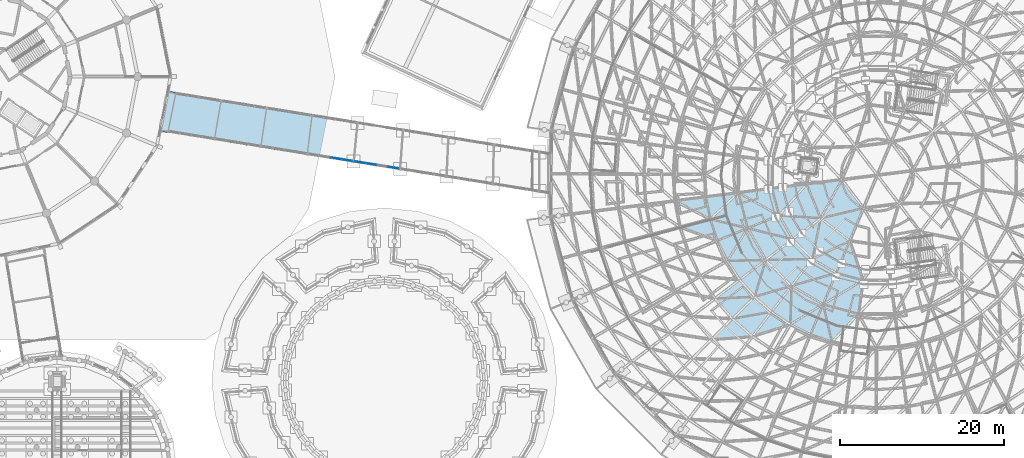
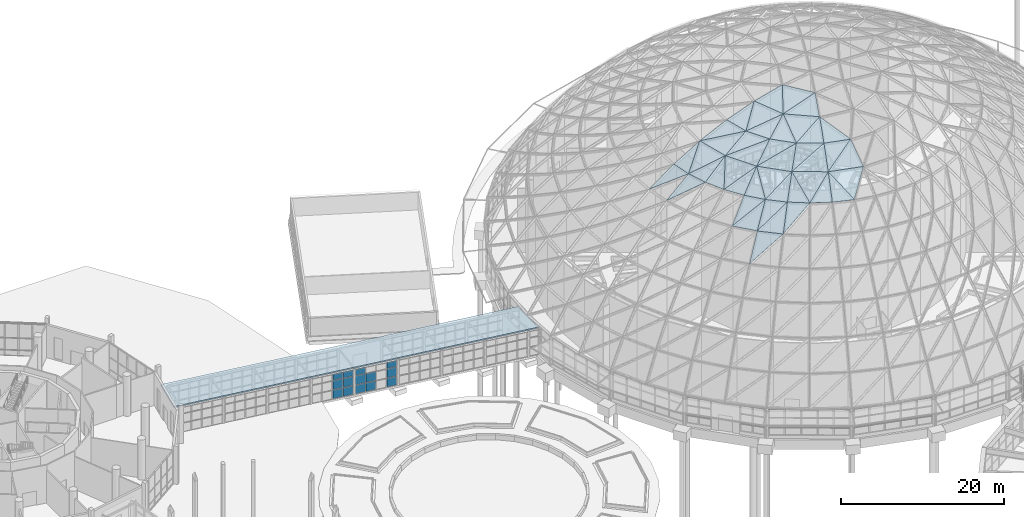
# One storey, part 136 of 226: 56 plates, 1 slab, 2 elements without a shape of their own.
"""IFC4 building model written with IfcOpenShell, lengths in metres."""

import ifcopenshell
import ifcopenshell.guid

model = None  # the IFC model being written
_history = None  # IfcOwnerHistory: only IFC2X3 demands one
_inside = {}  # id of a spatial element -> (the spatial element, [elements in it])
_under = {}  # id of a project, library or spatial element -> (it, [spatial elements below it])
_declared = {}  # id of a project -> (the project, [libraries it declares])
_typed = {}  # id of a type object -> (the type object, [elements of that type])
_made_of = {}  # id of a material, layer set ... -> (it, [elements and type objects made of it])


def new_model(schema):
    """Start an empty IFC model of exactly this schema.

    Asked for "IFC4X3", IfcOpenShell would pick the latest addendum, in which some entities
    have other attributes; the version numbers below select the first issue.
    IFC2X3 requires an IfcOwnerHistory on every rooted entity: one is made here for all.
    """
    global model, _history
    if schema == "IFC4X3":
        model = ifcopenshell.file(schema_version=(4, 3, 0, 0))
    else:
        model = ifcopenshell.file(schema=schema)
    _inside.clear()
    _under.clear()
    _declared.clear()
    _typed.clear()
    _made_of.clear()
    _history = None
    if model.schema == "IFC2X3":
        org = make("IfcOrganization", Name="unknown")
        user = make(
            "IfcPersonAndOrganization",
            ThePerson=make("IfcPerson", FamilyName="unknown"),
            TheOrganization=org,
        )
        app = make(
            "IfcApplication",
            ApplicationDeveloper=org,
            Version="unknown",
            ApplicationFullName="unknown",
            ApplicationIdentifier="unknown",
        )
        _history = make(
            "IfcOwnerHistory",
            OwningUser=user,
            OwningApplication=app,
            ChangeAction="ADDED",
            CreationDate=0,
        )
    return model


def make(cls, **values):
    """One entity of the class cls with the attributes given. An attribute that is None is left unset."""
    return model.create_entity(
        cls, **{name: value for name, value in values.items() if value is not None}
    )


def rooted(cls, **values):
    """An entity with a GlobalId (a new one), such as an element, a storey or a relation."""
    return make(cls, GlobalId=ifcopenshell.guid.new(), OwnerHistory=_history, **values)


def si_unit(unit_type, name, prefix=None):
    """IfcSIUnit, for example si_unit("LENGTHUNIT", "METRE", prefix="MILLI")."""
    return make("IfcSIUnit", UnitType=unit_type, Prefix=prefix, Name=name)


def assignment(units):
    """IfcUnitAssignment: the units of a project."""
    return None if units is None else make("IfcUnitAssignment", Units=units)


def point(xyz):
    """IfcCartesianPoint."""
    return None if xyz is None else make("IfcCartesianPoint", Coordinates=xyz)


def direction(xyz):
    """IfcDirection."""
    return None if xyz is None else make("IfcDirection", DirectionRatios=xyz)


def frame(location, z_axis=None, x_axis=None):
    """IfcAxis2Placement3D, a coordinate frame: its origin and axes. An axis left out is left unset."""
    return make(
        "IfcAxis2Placement3D",
        Location=point(location),
        Axis=direction(z_axis),
        RefDirection=direction(x_axis),
    )


def frame_2d(location, x_axis=None):
    """IfcAxis2Placement2D, a coordinate frame in the plane: its origin and x axis."""
    return make(
        "IfcAxis2Placement2D", Location=point(location), RefDirection=direction(x_axis)
    )


def origin():
    """The frame at (0, 0, 0) with its axes left unset."""
    return frame((0.0, 0.0, 0.0))


def origin_2d():
    """The frame at (0, 0) in the plane with its x axis left unset."""
    return frame_2d((0.0, 0.0))


def place(relative_to, where):
    """IfcLocalPlacement: puts the frame where relative to a parent placement (None: the world)."""
    return make(
        "IfcLocalPlacement", PlacementRelTo=relative_to, RelativePlacement=where
    )


def context(
    kind, dimensions, precision=None, world=None, true_north=None, identifier=None
):
    """IfcGeometricRepresentationContext, for example the 3D "Model" context."""
    return make(
        "IfcGeometricRepresentationContext",
        ContextIdentifier=identifier,
        ContextType=kind,
        CoordinateSpaceDimension=dimensions,
        Precision=precision,
        WorldCoordinateSystem=world,
        TrueNorth=true_north,
    )


def subcontext(parent, identifier, kind, view, scale=None):
    """IfcGeometricRepresentationSubContext, for example "Body" below "Model"."""
    return make(
        "IfcGeometricRepresentationSubContext",
        ContextIdentifier=identifier,
        ContextType=kind,
        ParentContext=parent,
        TargetScale=scale,
        TargetView=view,
    )


def project(units=None, contexts=None):
    """IfcProject with its units and contexts."""
    return rooted(
        "IfcProject",
        Name="project",
        RepresentationContexts=contexts,
        UnitsInContext=assignment(units),
    )


def spatial(cls, under=None, at=None, **own):
    """A site, building, storey or space (cls), placed at a placement, below another one or the project."""
    s = rooted(cls, ObjectPlacement=at, **own)
    if under is not None:
        _under.setdefault(under.id(), (under, []))[1].append(s)
    return s


def polyline(points):
    """IfcPolyline through the points."""
    return make("IfcPolyline", Points=[point(p) for p in points])


def profile(cls, at=None, kind="AREA", **sizes):
    """A parametric profile (cls). Its sizes go by their IFC names, for example OverallWidth=200.0."""
    return make(cls, ProfileType=kind, Position=at, **sizes)


def rectangle(**sizes):
    """IfcRectangleProfileDef."""
    return profile("IfcRectangleProfileDef", **sizes)


def outline(outer, holes=None, kind="AREA"):
    """IfcArbitraryClosedProfileDef: a profile drawn as a closed curve; with holes, ...WithVoids."""
    if holes is None:
        return make("IfcArbitraryClosedProfileDef", ProfileType=kind, OuterCurve=outer)
    return make(
        "IfcArbitraryProfileDefWithVoids",
        ProfileType=kind,
        OuterCurve=outer,
        InnerCurves=holes,
    )


def extrude(swept, where, along, depth):
    """IfcExtrudedAreaSolid: the profile swept, set in the frame where, extruded along a direction by depth."""
    return make(
        "IfcExtrudedAreaSolid",
        SweptArea=swept,
        Position=where,
        ExtrudedDirection=direction(along),
        Depth=depth,
    )


def shape(context_of_items, identifier, shape_type, items):
    """IfcShapeRepresentation: the items that make up one representation, for example the "Body"."""
    return make(
        "IfcShapeRepresentation",
        ContextOfItems=context_of_items,
        RepresentationIdentifier=identifier,
        RepresentationType=shape_type,
        Items=items,
    )


def material(Name=None, Category=None):
    """IfcMaterial."""
    return make("IfcMaterial", Name=Name, Category=Category)


def layer(
    of_material, thickness, ventilated=None, Name=None, Category=None, Priority=None
):
    """IfcMaterialLayer: one layer of a wall or slab, of a material (None: an air gap)."""
    return make(
        "IfcMaterialLayer",
        Material=of_material,
        LayerThickness=thickness,
        IsVentilated=ventilated,
        Name=Name,
        Category=Category,
        Priority=Priority,
    )


def layer_set(layers, Name=None):
    """IfcMaterialLayerSet."""
    return make("IfcMaterialLayerSet", MaterialLayers=layers, LayerSetName=Name)


def made_of(thing, what):
    """Note that an element or type object is made of a material, layer set ...; save() writes the relation."""
    if what is not None:
        _made_of.setdefault(what.id(), (what, []))[1].append(thing)
    return thing


def type_object(cls, material=None, **own):
    """A type object (cls), such as IfcWallType, which elements share."""
    return made_of(rooted(cls, **own), material)


def element(
    cls,
    number,
    at=None,
    inside=None,
    cuts=None,
    type_object=None,
    material=None,
    context=None,
    identifier="Body",
    shape_type=None,
    held_by="IfcProductDefinitionShape",
    body=None,
    shapes=None,
    **own,
):
    """One element of the class cls, such as IfcWall. Its Tag is "e" and its number.

    at: its placement. inside: the storey or other place that contains it. cuts: it is an
    opening in that element (IfcRelVoidsElement). A single representation is given by context,
    identifier, shape_type and body (its items); several are given by shapes. held_by: the class
    of the entity that holds the representations. save() writes the other relations.
    """
    e = rooted(cls, Tag="e%d" % number, ObjectPlacement=at, **own)
    if body is not None:
        shapes = [shape(context, identifier, shape_type, body)]
    if shapes is not None:
        e.Representation = make(held_by, Representations=shapes)
    if inside is not None:
        _inside.setdefault(inside.id(), (inside, []))[1].append(e)
    if cuts is not None:
        rooted(
            "IfcRelVoidsElement", RelatingBuildingElement=cuts, RelatedOpeningElement=e
        )
    if type_object is not None:
        _typed.setdefault(type_object.id(), (type_object, []))[1].append(e)
    return made_of(e, material)


def aggregate(whole, parts):
    """IfcRelAggregates: a whole, such as a stair, and the parts it consists of."""
    return rooted("IfcRelAggregates", RelatingObject=whole, RelatedObjects=parts)


def save(model, path):
    """Write the relations noted so far, then the file.

    IfcRelAggregates (storeys below a building ...), IfcRelContainedInSpatialStructure (elements
    in a storey), IfcRelDefinesByType, IfcRelAssociatesMaterial and IfcRelDeclares: one each for
    every whole, place, type object, material and project.
    """
    for whole, parts in _under.values():
        aggregate(whole, parts)
    for where, things in _inside.values():
        rooted(
            "IfcRelContainedInSpatialStructure",
            RelatedElements=things,
            RelatingStructure=where,
        )
    for kind, things in _typed.values():
        rooted("IfcRelDefinesByType", RelatedObjects=things, RelatingType=kind)
    for what, things in _made_of.values():
        rooted("IfcRelAssociatesMaterial", RelatedObjects=things, RelatingMaterial=what)
    for by, libraries in _declared.values():
        rooted("IfcRelDeclares", RelatingContext=by, RelatedDefinitions=libraries)
    model.write(path)


model = new_model("IFC4")

# Units and contexts
model_context = context("Model", 3, precision=1e-05, world=origin(), true_north=direction((0.0, 1.0)))
body_context = subcontext(model_context, "Body", "Model", "MODEL_VIEW")
ifc_project = project(units=[si_unit("LENGTHUNIT", "METRE"), si_unit("AREAUNIT", "SQUARE_METRE"), si_unit("VOLUMEUNIT", "CUBIC_METRE"), si_unit("PLANEANGLEUNIT", "RADIAN"), si_unit("MASSUNIT", "GRAM", prefix="KILO")], contexts=[model_context])

# Site, building, storey
site_placement = place(None, origin())
site = spatial("IfcSite", under=ifc_project, at=site_placement, CompositionType="ELEMENT")
building_placement = place(site_placement, origin())
building = spatial("IfcBuilding", under=site, at=building_placement, Name="Ceibo Conservatory and Research Tower", CompositionType="ELEMENT")
storey_placement = place(building_placement, origin())
storey = spatial("IfcBuildingStorey", under=building, at=storey_placement, Name="L00", CompositionType="ELEMENT", Elevation=0.0)

# Curtain wall, plates
ifc_material_1 = material(Name="Aluminium and glass", Category="aluminium")
curtain_wall_type = type_object("IfcCurtainWallType", Name="Gallery curtain wall", PredefinedType="NOTDEFINED", material=ifc_material_1)
curtain_wall_1_placement = place(storey_placement, origin())
curtain_wall_1 = element("IfcCurtainWall", 1, at=curtain_wall_1_placement, inside=storey, type_object=curtain_wall_type, Name="Gallery curtain wall A-RT-CWN05", PredefinedType="NOTDEFINED")
ifc_material_2 = material(Name="Laminated glass", Category="glass")
ifc_layer_1 = layer(ifc_material_2, 0.028076171875)
ifc_layer_set_1 = layer_set([ifc_layer_1], Name="Laminated glass")
plate_type_1 = type_object("IfcPlateType", Name="Gallery glass 28", PredefinedType="CURTAIN_PANEL", material=ifc_layer_set_1)
plate_1_placement = place(storey_placement, frame((97.121826171875, 108.89599609375, 0.06005859375), z_axis=(0.0, 0.0, 1.0), x_axis=(-0.987215515464, 0.159391110254, 0.0)))
plate_1 = element("IfcPlate", 2, at=plate_1_placement, type_object=plate_type_1, Name="A-RT-CWN05 panel 1.1", PredefinedType="CURTAIN_PANEL", context=body_context, shape_type="SweptSolid", body=[
    extrude(rectangle(XDim=1.28955078125, YDim=0.028076171875, at=origin_2d()), origin(), (0.0, 0.0, 1.0), 1.31005859375),
])
plate_2_placement = place(storey_placement, frame((97.121826171875, 108.89599609375, 1.43017578125), z_axis=(0.0, 0.0, 1.0), x_axis=(-0.987215515464, 0.159391110254, 0.0)))
plate_2 = element("IfcPlate", 3, at=plate_2_placement, type_object=plate_type_1, Name="A-RT-CWN05 panel 1.2", PredefinedType="CURTAIN_PANEL", context=body_context, shape_type="SweptSolid", body=[
    extrude(rectangle(XDim=1.28955078125, YDim=0.028076171875, at=origin_2d()), origin(), (0.0, 0.0, 1.0), 1.340087890625),
])
plate_3_placement = place(storey_placement, frame((97.121826171875, 108.89599609375, 2.830078125), z_axis=(0.0, 0.0, 1.0), x_axis=(-0.987215515464, 0.159391110254, 0.0)))
plate_3 = element("IfcPlate", 4, at=plate_3_placement, type_object=plate_type_1, Name="A-RT-CWN05 panel 1.3", PredefinedType="CURTAIN_PANEL", context=body_context, shape_type="SweptSolid", body=[
    extrude(rectangle(XDim=1.28955078125, YDim=0.028076171875, at=origin_2d()), origin(), (0.0, 0.0, 1.0), 0.909912109375),
])
plate_4_placement = place(storey_placement, frame((94.412841796875, 109.333251953125, 0.06005859375), z_axis=(0.0, 0.0, 1.0), x_axis=(-0.987215515464, 0.159391110254, 0.0)))
plate_4 = element("IfcPlate", 5, at=plate_4_placement, type_object=plate_type_1, Name="A-RT-CWN05 panel 3.1", PredefinedType="CURTAIN_PANEL", context=body_context, shape_type="SweptSolid", body=[
    extrude(rectangle(XDim=1.319580078125, YDim=0.028076171875, at=origin_2d()), origin(), (0.0, 0.0, 1.0), 1.31005859375),
])
plate_5_placement = place(storey_placement, frame((94.412841796875, 109.333251953125, 1.43017578125), z_axis=(0.0, 0.0, 1.0), x_axis=(-0.987215515464, 0.159391110254, 0.0)))
plate_5 = element("IfcPlate", 6, at=plate_5_placement, type_object=plate_type_1, Name="A-RT-CWN05 panel 3.2", PredefinedType="CURTAIN_PANEL", context=body_context, shape_type="SweptSolid", body=[
    extrude(rectangle(XDim=1.319580078125, YDim=0.028076171875, at=origin_2d()), origin(), (0.0, 0.0, 1.0), 1.340087890625),
])
plate_6_placement = place(storey_placement, frame((93.065673828125, 109.55078125, 0.06005859375), z_axis=(0.0, 0.0, 1.0), x_axis=(-0.987215515464, 0.159391110254, 0.0)))
plate_6 = element("IfcPlate", 7, at=plate_6_placement, type_object=plate_type_1, Name="A-RT-CWN05 panel 4.1", PredefinedType="CURTAIN_PANEL", context=body_context, shape_type="SweptSolid", body=[
    extrude(rectangle(XDim=1.28955078125, YDim=0.028076171875, at=origin_2d()), origin(), (0.0, 0.0, 1.0), 1.31005859375),
])
plate_7_placement = place(storey_placement, frame((93.065673828125, 109.55078125, 1.43017578125), z_axis=(0.0, 0.0, 1.0), x_axis=(-0.987215515464, 0.159391110254, 0.0)))
plate_7 = element("IfcPlate", 8, at=plate_7_placement, type_object=plate_type_1, Name="A-RT-CWN05 panel 4.2", PredefinedType="CURTAIN_PANEL", context=body_context, shape_type="SweptSolid", body=[
    extrude(rectangle(XDim=1.28955078125, YDim=0.028076171875, at=origin_2d()), origin(), (0.0, 0.0, 1.0), 1.340087890625),
])
plate_8_placement = place(storey_placement, frame((93.065673828125, 109.55078125, 2.830078125), z_axis=(0.0, 0.0, 1.0), x_axis=(-0.987215515464, 0.159391110254, 0.0)))
plate_8 = element("IfcPlate", 9, at=plate_8_placement, type_object=plate_type_1, Name="A-RT-CWN05 panel 4.3", PredefinedType="CURTAIN_PANEL", context=body_context, shape_type="SweptSolid", body=[
    extrude(rectangle(XDim=1.28955078125, YDim=0.028076171875, at=origin_2d()), origin(), (0.0, 0.0, 1.0), 0.909912109375),
])
aggregate(curtain_wall_1, [plate_1, plate_2, plate_3, plate_4, plate_5, plate_6, plate_7, plate_8])

curtain_wall_2_placement = place(storey_placement, origin())
curtain_wall_2 = element("IfcCurtainWall", 10, at=curtain_wall_2_placement, inside=storey, type_object=curtain_wall_type, Name="Gallery curtain wall A-RT-CWN06", PredefinedType="NOTDEFINED")
plate_9_placement = place(storey_placement, frame((91.476806640625, 109.807373046875, 0.06005859375), z_axis=(0.0, 0.0, 1.0), x_axis=(-0.987215515464, 0.159391110254, 0.0)))
plate_9 = element("IfcPlate", 11, at=plate_9_placement, type_object=plate_type_1, Name="A-RT-CWN06 panel 1.1", PredefinedType="CURTAIN_PANEL", context=body_context, shape_type="SweptSolid", body=[
    extrude(rectangle(XDim=1.28955078125, YDim=0.028076171875, at=origin_2d()), origin(), (0.0, 0.0, 1.0), 1.31005859375),
])
plate_10_placement = place(storey_placement, frame((91.476806640625, 109.807373046875, 1.43017578125), z_axis=(0.0, 0.0, 1.0), x_axis=(-0.987215515464, 0.159391110254, 0.0)))
plate_10 = element("IfcPlate", 12, at=plate_10_placement, type_object=plate_type_1, Name="A-RT-CWN06 panel 1.2", PredefinedType="CURTAIN_PANEL", context=body_context, shape_type="SweptSolid", body=[
    extrude(rectangle(XDim=1.28955078125, YDim=0.028076171875, at=origin_2d()), origin(), (0.0, 0.0, 1.0), 1.340087890625),
])
plate_11_placement = place(storey_placement, frame((91.476806640625, 109.807373046875, 2.830078125), z_axis=(0.0, 0.0, 1.0), x_axis=(-0.987215515464, 0.159391110254, 0.0)))
plate_11 = element("IfcPlate", 13, at=plate_11_placement, type_object=plate_type_1, Name="A-RT-CWN06 panel 1.3", PredefinedType="CURTAIN_PANEL", context=body_context, shape_type="SweptSolid", body=[
    extrude(rectangle(XDim=1.28955078125, YDim=0.028076171875, at=origin_2d()), origin(), (0.0, 0.0, 1.0), 0.909912109375),
])
plate_12_placement = place(storey_placement, frame((90.129638671875, 110.02490234375, 0.06005859375), z_axis=(0.0, 0.0, 1.0), x_axis=(-0.987215515464, 0.159391110254, 0.0)))
plate_12 = element("IfcPlate", 14, at=plate_12_placement, type_object=plate_type_1, Name="A-RT-CWN06 panel 2.1", PredefinedType="CURTAIN_PANEL", context=body_context, shape_type="SweptSolid", body=[
    extrude(rectangle(XDim=1.319580078125, YDim=0.028076171875, at=origin_2d()), origin(), (0.0, 0.0, 1.0), 1.31005859375),
])
plate_13_placement = place(storey_placement, frame((90.129638671875, 110.02490234375, 1.43017578125), z_axis=(0.0, 0.0, 1.0), x_axis=(-0.987215515464, 0.159391110254, 0.0)))
plate_13 = element("IfcPlate", 15, at=plate_13_placement, type_object=plate_type_1, Name="A-RT-CWN06 panel 2.2", PredefinedType="CURTAIN_PANEL", context=body_context, shape_type="SweptSolid", body=[
    extrude(rectangle(XDim=1.319580078125, YDim=0.028076171875, at=origin_2d()), origin(), (0.0, 0.0, 1.0), 1.340087890625),
])
plate_14_placement = place(storey_placement, frame((90.129638671875, 110.02490234375, 2.830078125), z_axis=(0.0, 0.0, 1.0), x_axis=(-0.987215515464, 0.159391110254, 0.0)))
plate_14 = element("IfcPlate", 16, at=plate_14_placement, type_object=plate_type_1, Name="A-RT-CWN06 panel 2.3", PredefinedType="CURTAIN_PANEL", context=body_context, shape_type="SweptSolid", body=[
    extrude(rectangle(XDim=1.319580078125, YDim=0.028076171875, at=origin_2d()), origin(), (0.0, 0.0, 1.0), 0.909912109375),
])
aggregate(curtain_wall_2, [plate_9, plate_10, plate_11, plate_12, plate_13, plate_14])

# Plates
ifc_layer_2 = layer(ifc_material_2, 0.035888671875)
ifc_layer_set_2 = layer_set([ifc_layer_2], Name="Laminated glass")
plate_type_2 = type_object("IfcPlateType", Name="Gridshell roof glass 36", PredefinedType="SHEET", material=ifc_layer_set_2)
plate_15_placement = place(storey_placement, frame((135.742431640625, 87.918212890625, 17.55078125), z_axis=(-0.37765267275, -0.426993370049, 0.821617380962), x_axis=(0.89297335194, 0.066737457428, 0.44513447912)))
element("IfcPlate", 17, at=plate_15_placement, inside=storey, type_object=plate_type_2, Name="Glass panel A-P05-060", PredefinedType="SHEET", context=body_context, shape_type="SweptSolid", body=[
    extrude(outline(polyline([(0.0, 0.0), (5.597084016161167, -2.220446049250313e-16), (3.5602645851353354, 2.5461491379345937), (0.0, 0.0)])), origin(), (0.0, 0.0, -1.0), 0.035888671875),
])
plate_16_placement = place(storey_placement, frame((131.27294921875, 104.85400390625, 20.042236328125), z_axis=(-0.481876977089, -0.093753762431, 0.871208821685), x_axis=(0.812580405363, -0.419859274321, 0.404266341149)))
element("IfcPlate", 18, at=plate_16_placement, inside=storey, type_object=plate_type_2, Name="Glass panel A-P06-050", PredefinedType="SHEET", context=body_context, shape_type="SweptSolid", body=[
    extrude(outline(polyline([(0.0, 0.0), (5.307768010134648, 2.220446049250313e-16), (3.741251569925175, 2.2739069111641284), (0.0, 0.0)])), origin(), (0.0, 0.0, -1.0), 0.035888671875),
])
plate_17_placement = place(storey_placement, frame((131.8955078125, 101.653564453125, 20.042236328125), z_axis=(-0.465569273811, -0.155638241436, 0.871218680405), x_axis=(0.86035567575, -0.310338968485, 0.404323924402)))
element("IfcPlate", 19, at=plate_17_placement, inside=storey, type_object=plate_type_2, Name="Glass panel A-P06-052", PredefinedType="SHEET", context=body_context, shape_type="SweptSolid", body=[
    extrude(outline(polyline([(0.0, 0.0), (5.307012085168929, -3.3306690738754696e-16), (3.7410351398121575, 2.2743822750559963), (0.0, 0.0)])), origin(), (0.0, 0.0, -1.0), 0.035888671875),
])
plate_18_placement = place(storey_placement, frame((136.1591796875, 92.912109375, 20.042236328125), z_axis=(-0.370543056866, -0.322152200179, 0.871157737111), x_axis=(0.656110110194, -0.754665172974, 0.0)))
element("IfcPlate", 20, at=plate_18_placement, inside=storey, type_object=plate_type_2, Name="Glass panel A-P06-057", PredefinedType="SHEET", context=body_context, shape_type="SweptSolid", body=[
    extrude(outline(polyline([(0.0, 0.0), (3.2599955135443306, 2.220446049250313e-16), (3.010650730798408, 4.370137933662338), (0.0, 0.0)])), origin(), (0.0, 0.0, -1.0), 0.035888671875),
])
plate_19_placement = place(storey_placement, frame((136.1591796875, 92.912109375, 20.042236328125), z_axis=(-0.370568701303, -0.322007233127, 0.871200424374), x_axis=(0.913618172511, 0.042554852187, 0.404340103641)))
element("IfcPlate", 21, at=plate_19_placement, inside=storey, type_object=plate_type_2, Name="Glass panel A-P06-058", PredefinedType="SHEET", context=body_context, shape_type="SweptSolid", body=[
    extrude(outline(polyline([(0.0, 0.0), (5.306799730731464, 0.0), (3.7404738134429705, 2.274705345449151), (0.0, 0.0)])), origin(), (0.0, 0.0, -1.0), 0.035888671875),
])
plate_20_placement = place(storey_placement, frame((138.298095703125, 90.451904296875, 20.042236328125), z_axis=(-0.325295062762, -0.367795186242, 0.871154305), x_axis=(0.749059442524, -0.662502793628, 0.0)))
element("IfcPlate", 22, at=plate_20_placement, inside=storey, type_object=plate_type_2, Name="Glass panel A-P06-059", PredefinedType="SHEET", context=body_context, shape_type="SweptSolid", body=[
    extrude(outline(polyline([(0.0, 0.0), (3.2605994582606237, 4.440892098500626e-16), (3.0116656615227546, 4.370083736621913), (0.0, 0.0)])), origin(), (0.0, 0.0, -1.0), 0.035888671875),
])
plate_21_placement = place(storey_placement, frame((138.298095703125, 90.451904296875, 20.042236328125), z_axis=(-0.325296058454, -0.367792034064, 0.871155264022), x_axis=(0.90027854069, 0.161370247854, 0.404299631809)))
element("IfcPlate", 23, at=plate_21_placement, inside=storey, type_object=plate_type_2, Name="Glass panel A-P06-060", PredefinedType="SHEET", context=body_context, shape_type="SweptSolid", body=[
    extrude(outline(polyline([(0.0, 0.0), (5.307330960273972, 2.220446049250313e-16), (3.740252972516818, 2.273936252733628), (0.0, 0.0)])), origin(), (0.0, 0.0, -1.0), 0.035888671875),
])
plate_22_placement = place(storey_placement, frame((140.740478515625, 88.291748046875, 20.042236328125), z_axis=(-0.274584262684, -0.407058364757, 0.871152667658), x_axis=(0.871533945163, 0.277400353092, 0.40432366556)))
element("IfcPlate", 24, at=plate_22_placement, inside=storey, type_object=plate_type_2, Name="Glass panel A-P06-062", PredefinedType="SHEET", context=body_context, shape_type="SweptSolid", body=[
    extrude(outline(polyline([(0.0, 0.0), (5.307015482636089, -3.3306690738754696e-16), (3.740020681835353, 2.274169122930282), (0.0, 0.0)])), origin(), (0.0, 0.0, -1.0), 0.035888671875),
])
plate_23_placement = place(storey_placement, frame((139.024169921875, 105.840087890625, 23.970458984375), z_axis=(-0.400470990238, -0.077915451172, 0.912990782235), x_axis=(-0.906026061236, -0.11518462208, -0.407245968915)))
element("IfcPlate", 25, at=plate_23_placement, inside=storey, type_object=plate_type_2, Name="Glass panel A-P07-038", PredefinedType="SHEET", context=body_context, shape_type="SweptSolid", body=[
    extrude(outline(polyline([(0.0, 0.0), (4.3768897403075, -2.0816681711721685e-17), (4.211304628507482, 2.7563033158266026), (0.0, 0.0)])), origin(), (0.0, 0.0, -1.0), 0.035888671875),
])
plate_24_placement = place(storey_placement, frame((139.024169921875, 105.840087890625, 23.970458984375), z_axis=(-0.382139696211, -0.100636958708, 0.918608434058), x_axis=(-0.683121518537, -0.638689273207, -0.354148278552)))
element("IfcPlate", 26, at=plate_24_placement, inside=storey, type_object=plate_type_2, Name="Glass panel A-P07-039", PredefinedType="SHEET", context=body_context, shape_type="SweptSolid", body=[
    extrude(outline(polyline([(0.0, 0.0), (5.033119772360406, -3.3306690738754696e-16), (1.9819971711480149, 4.003626914101606), (0.0, 0.0)])), origin(), (0.0, 0.0, -1.0), 0.035888671875),
])
plate_25_placement = place(storey_placement, frame((140.161865234375, 101.52001953125, 23.970458984375), z_axis=(-0.386892153049, -0.129336744741, 0.913009566417), x_axis=(-0.909054153243, 0.219612506316, -0.354105766037)))
element("IfcPlate", 27, at=plate_25_placement, inside=storey, type_object=plate_type_2, Name="Glass panel A-P07-040", PredefinedType="SHEET", context=body_context, shape_type="SweptSolid", body=[
    extrude(outline(polyline([(0.0, 0.0), (5.0337240284850555, 0.0), (3.6627153495824496, 2.396963439197925), (0.0, 0.0)])), origin(), (0.0, 0.0, -1.0), 0.035888671875),
])
plate_26_placement = place(storey_placement, frame((140.161865234375, 101.52001953125, 23.970458984375), z_axis=(-0.366598612819, -0.178952643727, 0.913006795365), x_axis=(-0.845366731436, -0.345743113292, -0.407206076811)))
element("IfcPlate", 28, at=plate_26_placement, inside=storey, type_object=plate_type_2, Name="Glass panel A-P07-041", PredefinedType="SHEET", context=body_context, shape_type="SweptSolid", body=[
    extrude(outline(polyline([(0.0, 0.0), (4.37731852404168, -4.163336342344337e-17), (4.211284077199785, 2.756039329248196), (0.0, 0.0)])), origin(), (0.0, 0.0, -1.0), 0.035888671875),
])
plate_27_placement = place(storey_placement, frame((140.161865234375, 101.52001953125, 23.970458984375), z_axis=(-0.34311311937, -0.19608315377, 0.918599359963), x_axis=(-0.494591412434, -0.793694065344, -0.354159660865)))
element("IfcPlate", 29, at=plate_27_placement, inside=storey, type_object=plate_type_2, Name="Glass panel A-P07-042", PredefinedType="SHEET", context=body_context, shape_type="SweptSolid", body=[
    extrude(outline(polyline([(0.0, 0.0), (5.032958013260124, -1.1102230246251565e-16), (1.9819163539824523, 4.003031799736386), (0.0, 0.0)])), origin(), (0.0, 0.0, -1.0), 0.035888671875),
])
plate_28_placement = place(storey_placement, frame((142.378173828125, 97.641845703125, 23.970458984375), z_axis=(-0.340267933711, -0.225113645712, 0.912984983339), x_axis=(-0.934905203171, -0.023137375839, -0.354142517814)))
element("IfcPlate", 30, at=plate_28_placement, inside=storey, type_object=plate_type_2, Name="Glass panel A-P07-043", PredefinedType="SHEET", context=body_context, shape_type="SweptSolid", body=[
    extrude(outline(polyline([(0.0, 0.0), (5.033201644713687, 0.0), (3.662211229949117, 2.396629445875303), (0.0, 0.0)])), origin(), (0.0, 0.0, -1.0), 0.035888671875),
])
plate_29_placement = place(storey_placement, frame((142.378173828125, 97.641845703125, 23.970458984375), z_axis=(-0.307963993064, -0.267606608331, 0.912986791884), x_axis=(-0.727058940296, -0.55274106486, -0.407262338737)))
element("IfcPlate", 31, at=plate_29_placement, inside=storey, type_object=plate_type_2, Name="Glass panel A-P07-044", PredefinedType="SHEET", context=body_context, shape_type="SweptSolid", body=[
    extrude(outline(polyline([(0.0, 0.0), (4.376713812165697, 2.42861286636753e-16), (4.211938083613154, 2.756902291896569), (0.0, 0.0)])), origin(), (0.0, 0.0, -1.0), 0.035888671875),
])
plate_30_placement = place(storey_placement, frame((142.378173828125, 97.641845703125, 23.970458984375), z_axis=(-0.280574696783, -0.278177914319, 0.918637516929), x_axis=(-0.272270859832, -0.894701250833, -0.354087913722)))
element("IfcPlate", 32, at=plate_30_placement, inside=storey, type_object=plate_type_2, Name="Glass panel A-P07-045", PredefinedType="SHEET", context=body_context, shape_type="SweptSolid", body=[
    extrude(outline(polyline([(0.0, 0.0), (5.033977817517217, 2.7755575615628914e-16), (1.9819537514928032, 4.0035523826701045), (0.0, 0.0)])), origin(), (0.0, 0.0, -1.0), 0.035888671875),
])
plate_31_placement = place(storey_placement, frame((145.5234375, 94.469482421875, 23.970458984375), z_axis=(-0.270271327109, -0.305578990472, 0.913003225802), x_axis=(-0.897036088813, -0.264498828371, -0.354071497239)))
element("IfcPlate", 33, at=plate_31_placement, inside=storey, type_object=plate_type_2, Name="Glass panel A-P07-046", PredefinedType="SHEET", context=body_context, shape_type="SweptSolid", body=[
    extrude(outline(polyline([(0.0, 0.0), (5.034211217298663, 5.551115123125783e-17), (3.662523580409443, 2.396871404146357), (0.0, 0.0)])), origin(), (0.0, 0.0, -1.0), 0.035888671875),
])
plate_32_placement = place(storey_placement, frame((145.5234375, 94.469482421875, 23.970458984375), z_axis=(-0.228135191726, -0.338199783118, 0.913003417844), x_axis=(-0.559105649822, -0.722196723253, -0.407225693271)))
element("IfcPlate", 34, at=plate_32_placement, inside=storey, type_object=plate_type_2, Name="Glass panel A-P07-047", PredefinedType="SHEET", context=body_context, shape_type="SweptSolid", body=[
    extrude(outline(polyline([(0.0, 0.0), (4.377107664322382, 1.6653345369377348e-16), (4.212391767660467, 2.7568435898347388), (0.0, 0.0)])), origin(), (0.0, 0.0, -1.0), 0.035888671875),
])
plate_33_placement = place(storey_placement, frame((145.5234375, 94.469482421875, 23.970458984375), z_axis=(-0.199028889129, -0.341309604163, 0.918637717165), x_axis=(-0.031327900981, -0.93469653795, -0.354063475333)))
element("IfcPlate", 35, at=plate_33_placement, inside=storey, type_object=plate_type_2, Name="Glass panel A-P07-048", PredefinedType="SHEET", context=body_context, shape_type="SweptSolid", body=[
    extrude(outline(polyline([(0.0, 0.0), (5.034325275850436, -1.1102230246251565e-16), (1.9824045867603157, 4.003083493377818), (0.0, 0.0)])), origin(), (0.0, 0.0, -1.0), 0.035888671875),
])
plate_34_placement = place(storey_placement, frame((149.38232421875, 92.21923828125, 23.970458984375), z_axis=(-0.182021530861, -0.365052889911, 0.913019468506), x_axis=(-0.7979301895, -0.487769506188, -0.354102134302)))
element("IfcPlate", 36, at=plate_34_placement, inside=storey, type_object=plate_type_2, Name="Glass panel A-P07-049", PredefinedType="SHEET", context=body_context, shape_type="SweptSolid", body=[
    extrude(outline(polyline([(0.0, 0.0), (5.033775655256227, -1.1102230246251565e-16), (3.662956153207764, 2.397061290041822), (0.0, 0.0)])), origin(), (0.0, 0.0, -1.0), 0.035888671875),
])
plate_35_placement = place(storey_placement, frame((149.38232421875, 92.21923828125, 23.970458984375), z_axis=(-0.132762062917, -0.385698859231, 0.913022795246), x_axis=(-0.353028937503, -0.842361622756, -0.407182349559)))
element("IfcPlate", 37, at=plate_35_placement, inside=storey, type_object=plate_type_2, Name="Glass panel A-P07-050", PredefinedType="SHEET", context=body_context, shape_type="SweptSolid", body=[
    extrude(outline(polyline([(0.0, 0.0), (4.377573598300728, 4.163336342344337e-17), (4.212886507408967, 2.756264055384131), (0.0, 0.0)])), origin(), (0.0, 0.0, -1.0), 0.035888671875),
])
plate_36_placement = place(storey_placement, frame((149.38232421875, 92.21923828125, 23.970458984375), z_axis=(-0.103921491762, -0.381182218069, 0.918640539155), x_axis=(0.211629001354, -0.910964892399, -0.354056677104)))
element("IfcPlate", 38, at=plate_36_placement, inside=storey, type_object=plate_type_2, Name="Glass panel A-P07-051", PredefinedType="SHEET", context=body_context, shape_type="SweptSolid", body=[
    extrude(outline(polyline([(0.0, 0.0), (5.03442193973758, 0.0), (1.9825616252480445, 4.003347877980378), (0.0, 0.0)])), origin(), (0.0, 0.0, -1.0), 0.035888671875),
])
plate_37_placement = place(storey_placement, frame((139.024169921875, 105.840087890625, 23.970458984375), z_axis=(-0.312136703471, -0.082201584525, 0.946474288001), x_axis=(0.254668146218, -0.967028508009, 0.0)))
element("IfcPlate", 39, at=plate_37_placement, inside=storey, type_object=plate_type_2, Name="Glass panel A-P08-025", PredefinedType="SHEET", context=body_context, shape_type="SweptSolid", body=[
    extrude(outline(polyline([(0.0, 0.0), (4.467364016258075, 0.0), (3.9257929376646996, 4.343078488735411), (0.0, 0.0)])), origin(), (0.0, 0.0, -1.0), 0.035888671875),
])
plate_38_placement = place(storey_placement, frame((139.024169921875, 105.840087890625, 23.970458984375), z_axis=(-0.312107357561, -0.082140865451, 0.946489236906), x_axis=(0.849760921174, -0.46964751898, 0.239452677498)))
element("IfcPlate", 40, at=plate_38_placement, inside=storey, type_object=plate_type_2, Name="Glass panel A-P08-026", PredefinedType="SHEET", context=body_context, shape_type="SweptSolid", body=[
    extrude(outline(polyline([(0.0, 0.0), (5.854415508719405, 5.551115123125783e-17), (3.58480860617293, 2.5116095956523146), (0.0, 0.0)])), origin(), (0.0, 0.0, -1.0), 0.035888671875),
])
plate_39_placement = place(storey_placement, frame((140.161865234375, 101.52001953125, 23.970458984375), z_axis=(-0.280222225681, -0.160142106688, 0.946482968626), x_axis=(0.496174254635, -0.868222960441, 0.0)))
element("IfcPlate", 41, at=plate_39_placement, inside=storey, type_object=plate_type_2, Name="Glass panel A-P08-027", PredefinedType="SHEET", context=body_context, shape_type="SweptSolid", body=[
    extrude(outline(polyline([(0.0, 0.0), (4.4667948267055895, 0.0), (3.9257333306844853, 4.343421019620243), (0.0, 0.0)])), origin(), (0.0, 0.0, -1.0), 0.035888671875),
])
plate_40_placement = place(storey_placement, frame((140.161865234375, 101.52001953125, 23.970458984375), z_axis=(-0.280226818783, -0.160166188226, 0.946477533903), x_axis=(0.942346514413, -0.233772659519, 0.239443919186)))
element("IfcPlate", 42, at=plate_40_placement, inside=storey, type_object=plate_type_2, Name="Glass panel A-P08-028", PredefinedType="SHEET", context=body_context, shape_type="SweptSolid", body=[
    extrude(outline(polyline([(0.0, 0.0), (5.854629649886153, 0.0), (3.5844452227327084, 2.511450265825249), (0.0, 0.0)])), origin(), (0.0, 0.0, -1.0), 0.035888671875),
])
plate_41_placement = place(storey_placement, frame((142.378173828125, 97.641845703125, 23.970458984375), z_axis=(-0.229185552401, -0.227227756778, 0.946489053883), x_axis=(0.704067152629, -0.710133399151, 0.0)))
element("IfcPlate", 43, at=plate_41_placement, inside=storey, type_object=plate_type_2, Name="Glass panel A-P08-029", PredefinedType="SHEET", context=body_context, shape_type="SweptSolid", body=[
    extrude(outline(polyline([(0.0, 0.0), (4.467277957978424, 0.0), (3.9262131880664084, 4.343661189431718), (0.0, 0.0)])), origin(), (0.0, 0.0, -1.0), 0.035888671875),
])
plate_42_placement = place(storey_placement, frame((142.378173828125, 97.641845703125, 23.970458984375), z_axis=(-0.229182227726, -0.227272957923, 0.946479006155), x_axis=(0.970745019789, 0.018179838866, 0.239423474233)))
element("IfcPlate", 44, at=plate_42_placement, inside=storey, type_object=plate_type_2, Name="Glass panel A-P08-030", PredefinedType="SHEET", context=body_context, shape_type="SweptSolid", body=[
    extrude(outline(polyline([(0.0, 0.0), (5.855129590941772, 0.0), (3.58547676276656, 2.5104601330864784), (0.0, 0.0)])), origin(), (0.0, 0.0, -1.0), 0.035888671875),
])
plate_43_placement = place(storey_placement, frame((145.5234375, 94.469482421875, 23.970458984375), z_axis=(-0.162575252815, -0.278796185961, 0.946489288828), x_axis=(0.863854216882, -0.503741890232, 0.0)))
element("IfcPlate", 45, at=plate_43_placement, inside=storey, type_object=plate_type_2, Name="Glass panel A-P08-031", PredefinedType="SHEET", context=body_context, shape_type="SweptSolid", body=[
    extrude(outline(polyline([(0.0, 0.0), (4.467057801345566, 2.220446049250313e-16), (3.9261762398217486, 4.343670462943763), (0.0, 0.0)])), origin(), (0.0, 0.0, -1.0), 0.035888671875),
])
plate_44_placement = place(storey_placement, frame((145.5234375, 94.469482421875, 23.970458984375), z_axis=(-0.162573652914, -0.27880077906, 0.946488210689), x_axis=(0.93297049984, 0.268778897965, 0.239424206037)))
element("IfcPlate", 46, at=plate_44_placement, inside=storey, type_object=plate_type_2, Name="Glass panel A-P08-032", PredefinedType="SHEET", context=body_context, shape_type="SweptSolid", body=[
    extrude(outline(polyline([(0.0, 0.0), (5.8551116946469035, -3.3306690738754696e-16), (3.5853275507998097, 2.511089398506384), (0.0, 0.0)])), origin(), (0.0, 0.0, -1.0), 0.035888671875),
])
plate_45_placement = place(storey_placement, frame((149.38232421875, 92.21923828125, 23.970458984375), z_axis=(-0.084900391545, -0.311413154444, 0.94647438991), x_axis=(0.964787779078, -0.263029544619, 0.0)))
element("IfcPlate", 47, at=plate_45_placement, inside=storey, type_object=plate_type_2, Name="Glass panel A-P08-033", PredefinedType="SHEET", context=body_context, shape_type="SweptSolid", body=[
    extrude(outline(polyline([(0.0, 0.0), (4.46736441652527, 0.0), (3.926429517737648, 4.343082509464306), (0.0, 0.0)])), origin(), (0.0, 0.0, -1.0), 0.035888671875),
])
plate_46_placement = place(storey_placement, frame((149.38232421875, 92.21923828125, 23.970458984375), z_axis=(-0.084938744478, -0.311356713111, 0.946489517579), x_axis=(0.831684604512, 0.500970611111, 0.239435096471)))
element("IfcPlate", 48, at=plate_46_placement, inside=storey, type_object=plate_type_2, Name="Glass panel A-P08-034", PredefinedType="SHEET", context=body_context, shape_type="SweptSolid", body=[
    extrude(outline(polyline([(0.0, 0.0), (5.854845381543075, -7.216449660063518e-16), (3.58517460273353, 2.5112843371790854), (0.0, 0.0)])), origin(), (0.0, 0.0, -1.0), 0.035888671875),
])
plate_47_placement = place(storey_placement, frame((147.362060546875, 106.9013671875, 26.382568359375), z_axis=(-0.225040671261, -0.059226529113, 0.972547641264), x_axis=(-0.965226729685, -0.122717221758, -0.230819938016)))
element("IfcPlate", 49, at=plate_47_placement, inside=storey, type_object=plate_type_2, Name="Glass panel A-P09-020", PredefinedType="SHEET", context=body_context, shape_type="SweptSolid", body=[
    extrude(outline(polyline([(0.0, 0.0), (4.376805205528819, -2.42861286636753e-17), (3.946929741051306, 3.3577530192227703), (0.0, 0.0)])), origin(), (0.0, 0.0, -1.0), 0.035888671875),
])
plate_48_placement = place(storey_placement, frame((147.362060546875, 106.9013671875, 26.382568359375), z_axis=(-0.200378975737, -0.081980678663, 0.976282456264), x_axis=(-0.648988792081, -0.735394994961, -0.194955762006)))
element("IfcPlate", 50, at=plate_48_placement, inside=storey, type_object=plate_type_2, Name="Glass panel A-P09-021", PredefinedType="SHEET", context=body_context, shape_type="SweptSolid", body=[
    extrude(outline(polyline([(0.0, 0.0), (5.1819648511828955, -5.551115123125783e-17), (1.9604909252094407, 4.059439169561636), (0.0, 0.0)])), origin(), (0.0, 0.0, -1.0), 0.035888671875),
])
plate_49_placement = place(storey_placement, frame((149.069091796875, 102.72900390625, 26.382568359375), z_axis=(-0.202023436168, -0.115468333273, 0.972550047684), x_axis=(-0.978330392526, 0.069769697661, -0.194940586713)))
element("IfcPlate", 51, at=plate_49_placement, inside=storey, type_object=plate_type_2, Name="Glass panel A-P09-022", PredefinedType="SHEET", context=body_context, shape_type="SweptSolid", body=[
    extrude(outline(polyline([(0.0, 0.0), (5.182368245030267, 8.326672684688674e-17), (3.333772341437619, 2.836161659042764), (0.0, 0.0)])), origin(), (0.0, 0.0, -1.0), 0.035888671875),
])
plate_50_placement = place(storey_placement, frame((149.069091796875, 102.72900390625, 26.382568359375), z_axis=(-0.165232239754, -0.163855724092, 0.97254799811), x_axis=(-0.774539940036, -0.588909166563, -0.230811340333)))
element("IfcPlate", 52, at=plate_50_placement, inside=storey, type_object=plate_type_2, Name="Glass panel A-P09-023", PredefinedType="SHEET", context=body_context, shape_type="SweptSolid", body=[
    extrude(outline(polyline([(0.0, 0.0), (4.376968240775648, 4.163336342344337e-16), (3.9463892788109454, 3.35683419277356), (0.0, 0.0)])), origin(), (0.0, 0.0, -1.0), 0.035888671875),
])
plate_51_placement = place(storey_placement, frame((149.069091796875, 102.72900390625, 26.382568359375), z_axis=(-0.132529555833, -0.171224573506, 0.976277656335), x_axis=(-0.194381060272, -0.961349820756, -0.194993655129)))
element("IfcPlate", 53, at=plate_51_placement, inside=storey, type_object=plate_type_2, Name="Glass panel A-P09-024", PredefinedType="SHEET", context=body_context, shape_type="SweptSolid", body=[
    extrude(outline(polyline([(0.0, 0.0), (5.1809578397906, 1.3877787807814457e-16), (1.9591594010891797, 4.058707914424515), (0.0, 0.0)])), origin(), (0.0, 0.0, -1.0), 0.035888671875),
])
plate_52_placement = place(storey_placement, frame((152.633056640625, 99.970458984375, 26.382568359375), z_axis=(-0.117219514593, -0.201022068481, 0.972548051966), x_axis=(-0.882100999692, -0.428824616738, -0.194954544503)))
element("IfcPlate", 54, at=plate_52_placement, inside=storey, type_object=plate_type_2, Name="Glass panel A-P09-025", PredefinedType="SHEET", context=body_context, shape_type="SweptSolid", body=[
    extrude(outline(polyline([(0.0, 0.0), (5.18199721287373, -2.7755575615628914e-17), (3.3338496176575814, 2.8358139031409664), (0.0, 0.0)])), origin(), (0.0, 0.0, -1.0), 0.035888671875),
])
plate_53_placement = place(storey_placement, frame((152.633056640625, 99.970458984375, 26.382568359375), z_axis=(-0.061243232273, -0.224496978591, 0.972548391138), x_axis=(-0.376295921406, -0.897286716829, -0.230820119)))
element("IfcPlate", 55, at=plate_53_placement, inside=storey, type_object=plate_type_2, Name="Glass panel A-P09-026", PredefinedType="SHEET", context=body_context, shape_type="SweptSolid", body=[
    extrude(outline(polyline([(0.0, 0.0), (4.376801773715963, 1.942890293094024e-16), (3.947325451691779, 3.357603990223312), (0.0, 0.0)])), origin(), (0.0, 0.0, -1.0), 0.035888671875),
])
plate_54_placement = place(storey_placement, frame((151.662841796875, 107.44873046875, 26.9921875), z_axis=(-0.13332547823, -0.054547205605, 0.989570067866), x_axis=(-0.982334485209, -0.125022361253, -0.139242121342)))
element("IfcPlate", 56, at=plate_54_placement, inside=storey, type_object=plate_type_2, Name="Glass panel A-P10-011", PredefinedType="SHEET", context=body_context, shape_type="SweptSolid", body=[
    extrude(outline(polyline([(0.0, 0.0), (4.3781230474518065, 1.457167719820518e-16), (3.2228860926759895, 4.3575220730961455), (0.0, 0.0)])), origin(), (0.0, 0.0, -1.0), 0.035888671875),
])
plate_55_placement = place(storey_placement, frame((151.662841796875, 107.44873046875, 26.9921875), z_axis=(-0.097865829113, -0.074401645337, 0.992414567942), x_axis=(-0.478563118058, -0.870819107521, -0.112478549114)))
element("IfcPlate", 57, at=plate_55_placement, inside=storey, type_object=plate_type_2, Name="Glass panel A-P10-012", PredefinedType="SHEET", context=body_context, shape_type="SweptSolid", body=[
    extrude(outline(polyline([(0.0, 0.0), (5.419870236812357, -2.706168622523819e-16), (1.76458254963443, 4.000150806331241), (0.0, 0.0)])), origin(), (0.0, 0.0, -1.0), 0.035888671875),
])
plate_56_placement = place(storey_placement, frame((154.308837890625, 103.96826171875, 26.9921875), z_axis=(-0.08818500926, -0.113932628125, 0.989566955991), x_axis=(-0.966974343597, -0.228700110339, -0.112502792655)))
element("IfcPlate", 58, at=plate_56_placement, inside=storey, type_object=plate_type_2, Name="Glass panel A-P10-013", PredefinedType="SHEET", context=body_context, shape_type="SweptSolid", body=[
    extrude(outline(polyline([(0.0, 0.0), (5.418702293854778, 2.8449465006019636e-16), (2.6033192564739007, 3.5192376797136538), (0.0, 0.0)])), origin(), (0.0, 0.0, -1.0), 0.035888671875),
])

# Slab
ifc_material_3 = material(Name="Concrete C35/45", Category="concrete")
ifc_layer_3 = layer(ifc_material_3, 0.199951171875)
ifc_layer_set_3 = layer_set([ifc_layer_3], Name="Concrete C35/45")
slab_type = type_object("IfcSlabType", Name="RC gallery roof slab 200", PredefinedType="ROOF", material=ifc_layer_set_3)
slab_placement = place(storey_placement, frame((0.0, 0.0, 4.0)))
element("IfcSlab", 59, at=slab_placement, inside=storey, type_object=slab_type, Name="Gallery roof slab A-RT", PredefinedType="ROOF", context=body_context, shape_type="SweptSolid", body=[
    extrude(outline(polyline([(68.7734375, 113.321044921875), (69.74951171875, 118.22802734375), (116.12890625, 110.739990234375), (116.106689453125, 105.6787109375), (68.7734375, 113.321044921875)])), origin(), (0.0, 0.0, 1.0), 0.199951171875),
])

save(model, "model.ifc")
